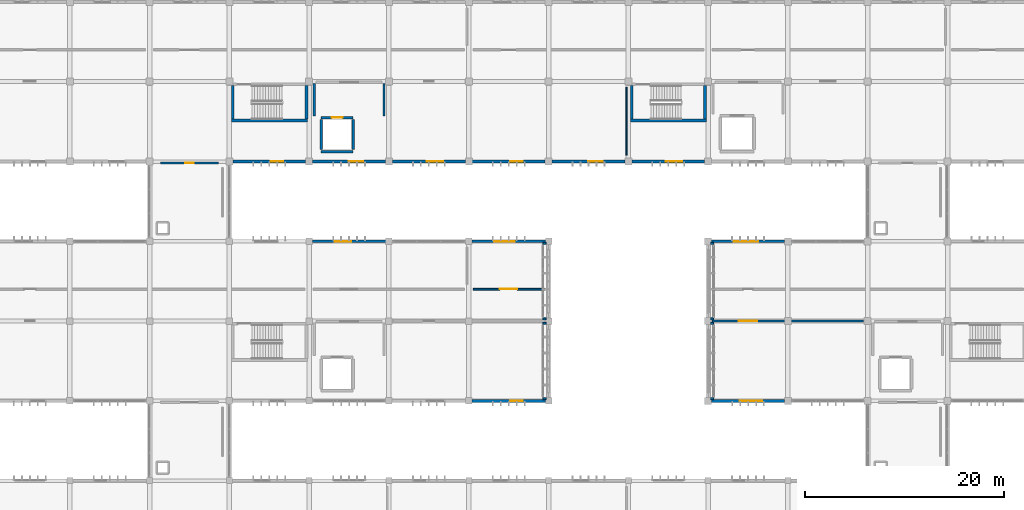
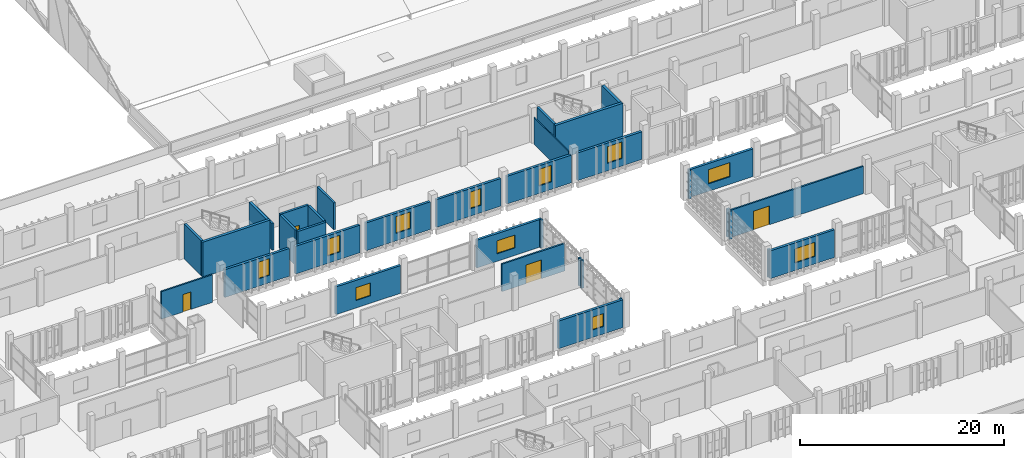
# One storey, part 115 of 137: 35 walls, 11 windows, 4 doors, 15 openings.
"""IFC4 building model written with IfcOpenShell, lengths in metres."""

from ifc_helpers import new_model, si_unit, direction, frame, frame_2d, origin, place, context, subcontext, project, spatial, rectangle, extrude, material, layer, layer_set, type_object, element, fill, save


model = new_model("IFC4")

# Units and contexts
model_context = context("Model", 3, precision=1e-05, world=origin(), true_north=direction((0.0, 1.0)))
body_context = subcontext(model_context, "Body", "Model", "MODEL_VIEW")
ifc_project = project(units=[si_unit("LENGTHUNIT", "METRE"), si_unit("AREAUNIT", "SQUARE_METRE"), si_unit("VOLUMEUNIT", "CUBIC_METRE"), si_unit("PLANEANGLEUNIT", "RADIAN"), si_unit("MASSUNIT", "GRAM", prefix="KILO")], contexts=[model_context])

# Site, building, storey
site_placement = place(None, origin())
site = spatial("IfcSite", under=ifc_project, at=site_placement, CompositionType="ELEMENT")
building_placement = place(site_placement, origin())
building = spatial("IfcBuilding", under=site, at=building_placement, Name="Jelvoka-Kovrelna Polytechnic", CompositionType="ELEMENT")
storey_placement = place(building_placement, frame((0.0, 0.0, 9.60009765625)))
storey = spatial("IfcBuildingStorey", under=building, at=storey_placement, Name="L03", CompositionType="ELEMENT", Elevation=9.60009765625)

# Walls
ifc_material_1 = material(Name="Concrete C35/45", Category="concrete")
ifc_layer_1 = layer(ifc_material_1, 0.219970703125)
ifc_layer_set_1 = layer_set([ifc_layer_1], Name="Concrete C35/45")
wall_type_1 = type_object("IfcWallType", Name="Wall_Compartment_220", PredefinedType="PARTITIONING", material=ifc_layer_set_1)
for number, where, z_axis, x_axis, name in (
    (1, (88.5, 60.550048828125, 0.0), (0.0, 0.0, 1.0), (0.0, 1.0, 0.0), "L03 interior wall 0283"),
    (2, (95.5, 60.550048828125, 0.0), (0.0, 0.0, 1.0), (0.0, 1.0, 0.0), "L03 interior wall 0284"),
):
    element("IfcWall", number, at=place(storey_placement, frame(where, z_axis=z_axis, x_axis=x_axis)), inside=storey, type_object=wall_type_1, Name=name, PredefinedType="PARTITIONING", context=body_context, shape_type="SweptSolid", body=[
        extrude(rectangle(XDim=3.25, YDim=0.219970703125, at=frame_2d((1.625, 0.0))), origin(), (0.0, 0.0, 1.0), 3.224853515625),
    ])
ifc_material_2 = material(Name="Concrete C40/50", Category="concrete")
ifc_layer_2 = layer(ifc_material_2, 0.25)
ifc_layer_set_2 = layer_set([ifc_layer_2], Name="Concrete C40/50")
wall_type_2 = type_object("IfcWallType", Name="Wall_Core_250", PredefinedType="SOLIDWALL", material=ifc_layer_set_2)
for number, where, z_axis, x_axis, name in (
    (3, (80.324951171875, 60.25, 0.0), (0.0, 0.0, 1.0), (0.0, 1.0, 0.0), "L03 interior wall 0160"),
    (4, (120.324951171875, 60.25, 0.0), (0.0, 0.0, 1.0), (0.0, 1.0, 0.0), "L03 interior wall 0232"),
):
    element("IfcWall", number, at=place(storey_placement, frame(where, z_axis=z_axis, x_axis=x_axis)), inside=storey, type_object=wall_type_2, Name=name, PredefinedType="SOLIDWALL", context=body_context, shape_type="SweptSolid", body=[
        extrude(rectangle(XDim=3.360107421875, YDim=0.25, at=frame_2d((1.68017578125, 0.0))), origin(), (0.0, 0.0, 1.0), 4.199951171875),
    ])
wall_1_placement = place(storey_placement, frame((89.199951171875, 57.0, 0.0), z_axis=(0.0, 0.0, 1.0), x_axis=(1.0, 0.0, 0.0)))
element("IfcWall", 5, at=wall_1_placement, inside=storey, type_object=wall_type_2, Name="L03 interior wall 0278", PredefinedType="SOLIDWALL", context=body_context, shape_type="SweptSolid", body=[
    extrude(rectangle(XDim=3.199951171875, YDim=0.25, at=frame_2d((1.60009765625, 0.0))), origin(), (0.0, 0.0, 1.0), 4.199951171875),
])

# Wall, opening, door
wall_2_placement = place(storey_placement, frame((89.199951171875, 60.39990234375, 0.0), z_axis=(0.0, 0.0, 1.0), x_axis=(1.0, 0.0, 0.0)))
wall_2 = element("IfcWall", 6, at=wall_2_placement, inside=storey, type_object=wall_type_2, Name="L03 interior wall 0279", PredefinedType="SOLIDWALL", context=body_context, shape_type="SweptSolid", body=[
    extrude(rectangle(XDim=3.199951171875, YDim=0.25, at=frame_2d((1.60009765625, 0.0))), origin(), (0.0, 0.0, 1.0), 4.199951171875),
])
opening_1_placement = place(wall_2_placement, frame((1.050048828125, 0.0, 0.0)))
opening_1 = element("IfcOpeningElement", 7, at=opening_1_placement, cuts=wall_2, Name="Opening LD-L03-04", PredefinedType="OPENING", context=body_context, shape_type="SweptSolid", body=[
    extrude(rectangle(XDim=1.10009765625, YDim=2.14990234375, at=frame_2d((0.550048828125, 1.074951171875))), frame((0.0, 0.135009765625, 0.0), z_axis=(0.0, -1.0, 0.0), x_axis=(1.0, 0.0, 0.0)), (0.0, 0.0, 1.0), 0.27001953125),
])
ifc_material_3 = material(Name="Brushed stainless steel sliding landing door", Category="steel")
door_type_1 = type_object("IfcDoorType", Name="Door_Lift_LD01", OperationType="NOTDEFINED", PredefinedType="DOOR", material=ifc_material_3)
door_1_placement = place(opening_1_placement, origin())
door_1 = element("IfcDoor", 8, at=door_1_placement, inside=storey, type_object=door_type_1, Name="L03 lift landing sliding door LD-L03-04", OperationType="DOUBLE_DOOR_SLIDING", OverallHeight=2.14990234375, OverallWidth=1.10009765625, PredefinedType="DOOR", context=body_context, shape_type="SweptSolid", body=[
    extrude(rectangle(XDim=1.10009765625, YDim=2.14990234375, at=frame_2d((0.550048828125, 1.074951171875))), frame((0.0, 0.02490234375, 0.0), z_axis=(0.0, -1.0, 0.0), x_axis=(1.0, 0.0, 0.0)), (0.0, 0.0, 1.0), 0.050048828125),
])
fill(opening_1, door_1)

# Walls
for number, where, z_axis, x_axis, name in (
    (9, (89.199951171875, 57.199951171875, 0.0), (0.0, 0.0, 1.0), (0.0, 1.0, 0.0), "L03 interior wall 0280"),
    (10, (92.39990234375, 57.199951171875, 0.0), (0.0, 0.0, 1.0), (0.0, 1.0, 0.0), "L03 interior wall 0281"),
):
    element("IfcWall", number, at=place(storey_placement, frame(where, z_axis=z_axis, x_axis=x_axis)), inside=storey, type_object=wall_type_2, Name=name, PredefinedType="SOLIDWALL", context=body_context, shape_type="SweptSolid", body=[
        extrude(rectangle(XDim=3.0, YDim=0.25, at=frame_2d((1.5, 0.0))), origin(), (0.0, 0.0, 1.0), 4.199951171875),
    ])

# Wall, opening, door
ifc_material_4 = material(Name="Autoclaved aerated concrete blockwork", Category="masonry")
ifc_layer_3 = layer(ifc_material_4, 0.179931640625)
ifc_layer_set_3 = layer_set([ifc_layer_3], Name="Autoclaved aerated concrete blockwork")
wall_type_3 = type_object("IfcWallType", Name="Wall_Corridor_180", PredefinedType="PARTITIONING", material=ifc_layer_set_3)
wall_3_placement = place(storey_placement, frame((104.429931640625, 43.199951171875, 0.0), z_axis=(0.0, 0.0, 1.0), x_axis=(1.0, 0.0, 0.0)))
wall_3 = element("IfcWall", 11, at=wall_3_placement, inside=storey, type_object=wall_type_3, Name="L03 interior wall 1055", PredefinedType="PARTITIONING", context=body_context, shape_type="SweptSolid", body=[
    extrude(rectangle(XDim=7.14013671875, YDim=0.179931640625, at=frame_2d((3.570068359375, 0.0))), origin(), (0.0, 0.0, 1.0), 3.2998046875),
])
opening_2_placement = place(wall_3_placement, frame((2.68994140625, 0.0, 0.0)))
opening_2 = element("IfcOpeningElement", 12, at=opening_2_placement, cuts=wall_3, Name="Opening D-L03-294", PredefinedType="OPENING", context=body_context, shape_type="SweptSolid", body=[
    extrude(rectangle(XDim=1.760009765625, YDim=2.25, at=frame_2d((0.8798828125, 1.125))), frame((0.0, 0.099853515625, 0.0), z_axis=(0.0, -1.0, 0.0), x_axis=(1.0, 0.0, 0.0)), (0.0, 0.0, 1.0), 0.199951171875),
])
ifc_material_5 = material(Name="Paired refectory hall double door", Category="wood")
door_type_2 = type_object("IfcDoorType", Name="Door_Int_D21", OperationType="NOTDEFINED", PredefinedType="DOOR", material=ifc_material_5)
door_2_placement = place(opening_2_placement, origin())
door_2 = element("IfcDoor", 13, at=door_2_placement, inside=storey, type_object=door_type_2, Name="L03 interior door D-L03-294", OperationType="DOUBLE_DOOR_SINGLE_SWING", OverallHeight=2.25, OverallWidth=1.760009765625, PredefinedType="DOOR", context=body_context, shape_type="SweptSolid", body=[
    extrude(rectangle(XDim=1.760009765625, YDim=2.25, at=frame_2d((0.8798828125, 1.125))), frame((0.0, 0.02490234375, 0.0), z_axis=(0.0, -1.0, 0.0), x_axis=(1.0, 0.0, 0.0)), (0.0, 0.0, 1.0), 0.050048828125),
])
fill(opening_2, door_2)

wall_4_placement = place(storey_placement, frame((128.429931640625, 40.0, 0.0), z_axis=(0.0, 0.0, 1.0), x_axis=(1.0, 0.0, 0.0)))
wall_4 = element("IfcWall", 14, at=wall_4_placement, inside=storey, type_object=wall_type_3, Name="L03 interior wall 1056", PredefinedType="PARTITIONING", context=body_context, shape_type="SweptSolid", body=[
    extrude(rectangle(XDim=15.14013671875, YDim=0.179931640625, at=frame_2d((7.570068359375, 0.0))), origin(), (0.0, 0.0, 1.0), 3.27490234375),
])
opening_3_placement = place(wall_4_placement, frame((2.64990234375, 0.0, 0.0)))
opening_3 = element("IfcOpeningElement", 15, at=opening_3_placement, cuts=wall_4, Name="Opening D-L03-295", PredefinedType="OPENING", context=body_context, shape_type="SweptSolid", body=[
    extrude(rectangle(XDim=1.840087890625, YDim=2.25, at=frame_2d((0.919921875, 1.125))), frame((0.0, 0.099853515625, 0.0), z_axis=(0.0, -1.0, 0.0), x_axis=(1.0, 0.0, 0.0)), (0.0, 0.0, 1.0), 0.199951171875),
])
ifc_material_6 = material(Name="Paired exhibition gallery double door", Category="wood")
door_type_3 = type_object("IfcDoorType", Name="Door_Int_D22", OperationType="NOTDEFINED", PredefinedType="DOOR", material=ifc_material_6)
door_3_placement = place(opening_3_placement, origin())
door_3 = element("IfcDoor", 16, at=door_3_placement, inside=storey, type_object=door_type_3, Name="L03 interior door D-L03-295", OperationType="DOUBLE_DOOR_SINGLE_SWING", OverallHeight=2.25, OverallWidth=1.840087890625, PredefinedType="DOOR", context=body_context, shape_type="SweptSolid", body=[
    extrude(rectangle(XDim=1.840087890625, YDim=2.25, at=frame_2d((0.919921875, 1.125))), frame((0.0, 0.02490234375, 0.0), z_axis=(0.0, -1.0, 0.0), x_axis=(1.0, 0.0, 0.0)), (0.0, 0.0, 1.0), 0.050048828125),
])
fill(opening_3, door_3)

wall_5_placement = place(storey_placement, frame((73.10009765625, 55.85009765625, 0.0), z_axis=(0.0, 0.0, 1.0), x_axis=(1.0, 0.0, 0.0)))
wall_5 = element("IfcWall", 17, at=wall_5_placement, inside=storey, type_object=wall_type_3, Name="L03 interior wall 1081", PredefinedType="PARTITIONING", context=body_context, shape_type="SweptSolid", body=[
    extrude(rectangle(XDim=5.7998046875, YDim=0.179931640625, at=frame_2d((2.89990234375, 0.0))), origin(), (0.0, 0.0, 1.0), 3.2998046875),
])
opening_4_placement = place(wall_5_placement, frame((2.449951171875, 0.0, 0.0)))
opening_4 = element("IfcOpeningElement", 18, at=opening_4_placement, cuts=wall_5, Name="Opening D-L03-313", PredefinedType="OPENING", context=body_context, shape_type="SweptSolid", body=[
    extrude(rectangle(XDim=0.89990234375, YDim=2.10009765625, at=frame_2d((0.449951171875, 1.050048828125))), frame((0.0, 0.099853515625, 0.0), z_axis=(0.0, -1.0, 0.0), x_axis=(1.0, 0.0, 0.0)), (0.0, 0.0, 1.0), 0.199951171875),
])
ifc_material_7 = material(Name="Hardwood solid-core door", Category="wood")
door_type_4 = type_object("IfcDoorType", Name="Door_Int_D01", OperationType="NOTDEFINED", PredefinedType="DOOR", material=ifc_material_7)
door_4_placement = place(opening_4_placement, origin())
door_4 = element("IfcDoor", 19, at=door_4_placement, inside=storey, type_object=door_type_4, Name="L03 interior door D-L03-313", OperationType="SINGLE_SWING_RIGHT", OverallHeight=2.10009765625, OverallWidth=0.89990234375, PredefinedType="DOOR", context=body_context, shape_type="SweptSolid", body=[
    extrude(rectangle(XDim=0.89990234375, YDim=2.10009765625, at=frame_2d((0.449951171875, 1.050048828125))), frame((0.0, 0.02490234375, 0.0), z_axis=(0.0, -1.0, 0.0), x_axis=(1.0, 0.0, 0.0)), (0.0, 0.0, 1.0), 0.050048828125),
])
fill(opening_4, door_4)

# Wall, opening, window
ifc_material_8 = material(Name="Precast concrete C40/50", Category="concrete")
ifc_layer_4 = layer(ifc_material_8, 0.280029296875)
ifc_layer_set_4 = layer_set([ifc_layer_4], Name="Precast concrete C40/50")
wall_type_4 = type_object("IfcWallType", Name="Wall_Ext_White_280", PredefinedType="STANDARD", material=ifc_layer_set_4)
wall_6_placement = place(storey_placement, frame((88.322021484375, 48.0, 0.0), z_axis=(0.0, 0.0, 1.0), x_axis=(1.0, 0.0, 0.0)))
wall_6 = element("IfcWall", 20, at=wall_6_placement, inside=storey, type_object=wall_type_4, Name="L03 exterior wall 0392", PredefinedType="STANDARD", context=body_context, shape_type="SweptSolid", body=[
    extrude(rectangle(XDim=7.35595703125, YDim=0.280029296875, at=frame_2d((3.677978515625, 0.0))), origin(), (0.0, 0.0, 1.0), 3.324951171875),
])
opening_5_placement = place(wall_6_placement, frame((2.258056640625, 0.0, 0.89990234375)))
opening_5 = element("IfcOpeningElement", 21, at=opening_5_placement, cuts=wall_6, Name="Opening W-L03-133", PredefinedType="OPENING", context=body_context, shape_type="SweptSolid", body=[
    extrude(rectangle(XDim=1.64990234375, YDim=1.550048828125, at=frame_2d((0.824951171875, 0.77490234375))), frame((0.0, 0.150146484375, 0.0), z_axis=(0.0, -1.0, 0.0), x_axis=(1.0, 0.0, 0.0)), (0.0, 0.0, 1.0), 0.300048828125),
])
ifc_material_9 = material(Name="Thermally broken anodised aluminium and low-e glazing", Category="aluminium")
window_type_1 = type_object("IfcWindowType", Name="Win_Casement_W24", PartitioningType="DOUBLE_PANEL_VERTICAL", PredefinedType="WINDOW", material=ifc_material_9)
window_1_placement = place(opening_5_placement, origin())
window_1 = element("IfcWindow", 22, at=window_1_placement, inside=storey, type_object=window_type_1, Name="L03 aluminium casement window W-L03-133", OverallHeight=1.550048828125, OverallWidth=1.64990234375, PartitioningType="DOUBLE_PANEL_VERTICAL", PredefinedType="WINDOW", context=body_context, shape_type="SweptSolid", body=[
    extrude(rectangle(XDim=1.64990234375, YDim=1.550048828125, at=frame_2d((0.824951171875, 0.77490234375))), frame((0.0, 0.030029296875, 0.0), z_axis=(0.0, -1.0, 0.0), x_axis=(1.0, 0.0, 0.0)), (0.0, 0.0, 1.0), 0.06005859375),
])
fill(opening_5, window_1)

wall_7_placement = place(storey_placement, frame((111.677978515625, 32.0, 0.0), z_axis=(0.0, 0.0, 1.0), x_axis=(-1.0, 0.0, 0.0)))
wall_7 = element("IfcWall", 23, at=wall_7_placement, inside=storey, type_object=wall_type_4, Name="L03 exterior wall 0394", PredefinedType="STANDARD", context=body_context, shape_type="SweptSolid", body=[
    extrude(rectangle(XDim=7.35595703125, YDim=0.280029296875, at=frame_2d((3.677978515625, 0.0))), origin(), (0.0, 0.0, 1.0), 3.324951171875),
])
opening_6_placement = place(wall_7_placement, frame((2.258056640625, 0.0, 0.89990234375)))
opening_6 = element("IfcOpeningElement", 24, at=opening_6_placement, cuts=wall_7, Name="Opening W-L03-135", PredefinedType="OPENING", context=body_context, shape_type="SweptSolid", body=[
    extrude(rectangle(XDim=1.25, YDim=1.550048828125, at=frame_2d((0.625, 0.77490234375))), frame((0.0, 0.150146484375, 0.0), z_axis=(0.0, -1.0, 0.0), x_axis=(1.0, 0.0, 0.0)), (0.0, 0.0, 1.0), 0.300048828125),
])
ifc_material_10 = material(Name="Thermally broken anodised aluminium and low-e glazing", Category="aluminium")
window_type_2 = type_object("IfcWindowType", Name="Win_Casement_W22", PartitioningType="SINGLE_PANEL", PredefinedType="WINDOW", material=ifc_material_10)
window_2_placement = place(opening_6_placement, origin())
window_2 = element("IfcWindow", 25, at=window_2_placement, inside=storey, type_object=window_type_2, Name="L03 aluminium casement window W-L03-135", OverallHeight=1.550048828125, OverallWidth=1.25, PartitioningType="SINGLE_PANEL", PredefinedType="WINDOW", context=body_context, shape_type="SweptSolid", body=[
    extrude(rectangle(XDim=1.25, YDim=1.550048828125, at=frame_2d((0.625, 0.77490234375))), frame((0.0, 0.030029296875, 0.0), z_axis=(0.0, -1.0, 0.0), x_axis=(1.0, 0.0, 0.0)), (0.0, 0.0, 1.0), 0.06005859375),
])
fill(opening_6, window_2)

wall_8_placement = place(storey_placement, frame((104.322021484375, 48.0, 0.0), z_axis=(0.0, 0.0, 1.0), x_axis=(1.0, 0.0, 0.0)))
wall_8 = element("IfcWall", 26, at=wall_8_placement, inside=storey, type_object=wall_type_4, Name="L03 exterior wall 0395", PredefinedType="STANDARD", context=body_context, shape_type="SweptSolid", body=[
    extrude(rectangle(XDim=7.35595703125, YDim=0.280029296875, at=frame_2d((3.677978515625, 0.0))), origin(), (0.0, 0.0, 1.0), 3.324951171875),
])
opening_7_placement = place(wall_8_placement, frame((2.258056640625, 0.0, 0.89990234375)))
opening_7 = element("IfcOpeningElement", 27, at=opening_7_placement, cuts=wall_8, Name="Opening W-L03-136", PredefinedType="OPENING", context=body_context, shape_type="SweptSolid", body=[
    extrude(rectangle(XDim=2.050048828125, YDim=1.550048828125, at=frame_2d((1.02490234375, 0.77490234375))), frame((0.0, 0.150146484375, 0.0), z_axis=(0.0, -1.0, 0.0), x_axis=(1.0, 0.0, 0.0)), (0.0, 0.0, 1.0), 0.300048828125),
])
ifc_material_11 = material(Name="Thermally broken anodised aluminium and low-e glazing", Category="aluminium")
window_type_3 = type_object("IfcWindowType", Name="Win_Casement_W26", PartitioningType="DOUBLE_PANEL_VERTICAL", PredefinedType="WINDOW", material=ifc_material_11)
window_3_placement = place(opening_7_placement, origin())
window_3 = element("IfcWindow", 28, at=window_3_placement, inside=storey, type_object=window_type_3, Name="L03 aluminium casement window W-L03-136", OverallHeight=1.550048828125, OverallWidth=2.050048828125, PartitioningType="DOUBLE_PANEL_VERTICAL", PredefinedType="WINDOW", context=body_context, shape_type="SweptSolid", body=[
    extrude(rectangle(XDim=2.050048828125, YDim=1.550048828125, at=frame_2d((1.02490234375, 0.77490234375))), frame((0.0, 0.030029296875, 0.0), z_axis=(0.0, -1.0, 0.0), x_axis=(1.0, 0.0, 0.0)), (0.0, 0.0, 1.0), 0.06005859375),
])
fill(opening_7, window_3)

wall_9_placement = place(storey_placement, frame((135.653076171875, 32.0, 0.0), z_axis=(0.0, 0.0, 1.0), x_axis=(-1.0, 0.0, 0.0)))
wall_9 = element("IfcWall", 29, at=wall_9_placement, inside=storey, type_object=wall_type_4, Name="L03 exterior wall 0476", PredefinedType="STANDARD", context=body_context, shape_type="SweptSolid", body=[
    extrude(rectangle(XDim=7.30615234375, YDim=0.280029296875, at=frame_2d((3.653076171875, 0.0))), origin(), (0.0, 0.0, 1.0), 3.324951171875),
])
opening_8_placement = place(wall_9_placement, frame((2.23291015625, 0.0, 0.89990234375)))
opening_8 = element("IfcOpeningElement", 30, at=opening_8_placement, cuts=wall_9, Name="Opening W-L03-187", PredefinedType="OPENING", context=body_context, shape_type="SweptSolid", body=[
    extrude(rectangle(XDim=2.25, YDim=1.699951171875, at=frame_2d((1.125, 0.85009765625))), frame((0.0, 0.150146484375, 0.0), z_axis=(0.0, -1.0, 0.0), x_axis=(1.0, 0.0, 0.0)), (0.0, 0.0, 1.0), 0.300048828125),
])
ifc_material_12 = material(Name="Thermally broken anodised aluminium and low-e glazing", Category="aluminium")
window_type_4 = type_object("IfcWindowType", Name="Win_Casement_W37", PartitioningType="DOUBLE_PANEL_VERTICAL", PredefinedType="WINDOW", material=ifc_material_12)
window_4_placement = place(opening_8_placement, origin())
window_4 = element("IfcWindow", 31, at=window_4_placement, inside=storey, type_object=window_type_4, Name="L03 aluminium casement window W-L03-187", OverallHeight=1.699951171875, OverallWidth=2.25, PartitioningType="DOUBLE_PANEL_VERTICAL", PredefinedType="WINDOW", context=body_context, shape_type="SweptSolid", body=[
    extrude(rectangle(XDim=2.25, YDim=1.699951171875, at=frame_2d((1.125, 0.85009765625))), frame((0.0, 0.030029296875, 0.0), z_axis=(0.0, -1.0, 0.0), x_axis=(1.0, 0.0, 0.0)), (0.0, 0.0, 1.0), 0.06005859375),
])
fill(opening_8, window_4)

wall_10_placement = place(storey_placement, frame((128.346923828125, 48.0, 0.0), z_axis=(0.0, 0.0, 1.0), x_axis=(1.0, 0.0, 0.0)))
wall_10 = element("IfcWall", 32, at=wall_10_placement, inside=storey, type_object=wall_type_4, Name="L03 exterior wall 0477", PredefinedType="STANDARD", context=body_context, shape_type="SweptSolid", body=[
    extrude(rectangle(XDim=7.30615234375, YDim=0.280029296875, at=frame_2d((3.653076171875, 0.0))), origin(), (0.0, 0.0, 1.0), 3.324951171875),
])
opening_9_placement = place(wall_10_placement, frame((2.23291015625, 0.0, 0.89990234375)))
opening_9 = element("IfcOpeningElement", 33, at=opening_9_placement, cuts=wall_10, Name="Opening W-L03-188", PredefinedType="OPENING", context=body_context, shape_type="SweptSolid", body=[
    extrude(rectangle(XDim=2.449951171875, YDim=1.699951171875, at=frame_2d((1.22509765625, 0.85009765625))), frame((0.0, 0.150146484375, 0.0), z_axis=(0.0, -1.0, 0.0), x_axis=(1.0, 0.0, 0.0)), (0.0, 0.0, 1.0), 0.300048828125),
])
ifc_material_13 = material(Name="Thermally broken anodised aluminium and low-e glazing", Category="aluminium")
window_type_5 = type_object("IfcWindowType", Name="Win_Casement_W38", PartitioningType="DOUBLE_PANEL_VERTICAL", PredefinedType="WINDOW", material=ifc_material_13)
window_5_placement = place(opening_9_placement, origin())
window_5 = element("IfcWindow", 34, at=window_5_placement, inside=storey, type_object=window_type_5, Name="L03 aluminium casement window W-L03-188", OverallHeight=1.699951171875, OverallWidth=2.449951171875, PartitioningType="DOUBLE_PANEL_VERTICAL", PredefinedType="WINDOW", context=body_context, shape_type="SweptSolid", body=[
    extrude(rectangle(XDim=2.449951171875, YDim=1.699951171875, at=frame_2d((1.22509765625, 0.85009765625))), frame((0.0, 0.030029296875, 0.0), z_axis=(0.0, -1.0, 0.0), x_axis=(1.0, 0.0, 0.0)), (0.0, 0.0, 1.0), 0.06005859375),
])
fill(opening_9, window_5)

wall_11_placement = place(storey_placement, frame((87.653076171875, 56.0, 0.0), z_axis=(0.0, 0.0, 1.0), x_axis=(-1.0, 0.0, 0.0)))
wall_11 = element("IfcWall", 35, at=wall_11_placement, inside=storey, type_object=wall_type_4, Name="L03 exterior wall 0644", PredefinedType="STANDARD", context=body_context, shape_type="SweptSolid", body=[
    extrude(rectangle(XDim=7.30615234375, YDim=0.280029296875, at=frame_2d((3.653076171875, 0.0))), origin(), (0.0, 0.0, 1.0), 3.324951171875),
])
opening_10_placement = place(wall_11_placement, frame((2.23291015625, 0.0, 0.89990234375)))
opening_10 = element("IfcOpeningElement", 36, at=opening_10_placement, cuts=wall_11, Name="Opening W-L03-314", PredefinedType="OPENING", context=body_context, shape_type="SweptSolid", body=[
    extrude(rectangle(XDim=1.25, YDim=2.0, at=frame_2d((0.625, 1.0))), frame((0.0, 0.150146484375, 0.0), z_axis=(0.0, -1.0, 0.0), x_axis=(1.0, 0.0, 0.0)), (0.0, 0.0, 1.0), 0.300048828125),
])
ifc_material_14 = material(Name="Thermally broken anodised aluminium and low-e glazing", Category="aluminium")
window_type_6 = type_object("IfcWindowType", Name="Win_Casement_W52", PartitioningType="SINGLE_PANEL", PredefinedType="WINDOW", material=ifc_material_14)
window_6_placement = place(opening_10_placement, origin())
window_6 = element("IfcWindow", 37, at=window_6_placement, inside=storey, type_object=window_type_6, Name="L03 aluminium casement window W-L03-314", OverallHeight=2.0, OverallWidth=1.25, PartitioningType="SINGLE_PANEL", PredefinedType="WINDOW", context=body_context, shape_type="SweptSolid", body=[
    extrude(rectangle(XDim=1.25, YDim=2.0, at=frame_2d((0.625, 1.0))), frame((0.0, 0.030029296875, 0.0), z_axis=(0.0, -1.0, 0.0), x_axis=(1.0, 0.0, 0.0)), (0.0, 0.0, 1.0), 0.06005859375),
])
fill(opening_10, window_6)

wall_12_placement = place(storey_placement, frame((95.653076171875, 56.0, 0.0), z_axis=(0.0, 0.0, 1.0), x_axis=(-1.0, 0.0, 0.0)))
wall_12 = element("IfcWall", 38, at=wall_12_placement, inside=storey, type_object=wall_type_4, Name="L03 exterior wall 0646", PredefinedType="STANDARD", context=body_context, shape_type="SweptSolid", body=[
    extrude(rectangle(XDim=7.30615234375, YDim=0.280029296875, at=frame_2d((3.653076171875, 0.0))), origin(), (0.0, 0.0, 1.0), 3.324951171875),
])
opening_11_placement = place(wall_12_placement, frame((2.23291015625, 0.0, 0.89990234375)))
opening_11 = element("IfcOpeningElement", 39, at=opening_11_placement, cuts=wall_12, Name="Opening W-L03-316", PredefinedType="OPENING", context=body_context, shape_type="SweptSolid", body=[
    extrude(rectangle(XDim=1.449951171875, YDim=2.0, at=frame_2d((0.72509765625, 1.0))), frame((0.0, 0.150146484375, 0.0), z_axis=(0.0, -1.0, 0.0), x_axis=(1.0, 0.0, 0.0)), (0.0, 0.0, 1.0), 0.300048828125),
])
ifc_material_15 = material(Name="Thermally broken anodised aluminium and low-e glazing", Category="aluminium")
window_type_7 = type_object("IfcWindowType", Name="Win_Casement_W53", PartitioningType="SINGLE_PANEL", PredefinedType="WINDOW", material=ifc_material_15)
window_7_placement = place(opening_11_placement, origin())
window_7 = element("IfcWindow", 40, at=window_7_placement, inside=storey, type_object=window_type_7, Name="L03 aluminium casement window W-L03-316", OverallHeight=2.0, OverallWidth=1.449951171875, PartitioningType="SINGLE_PANEL", PredefinedType="WINDOW", context=body_context, shape_type="SweptSolid", body=[
    extrude(rectangle(XDim=1.449951171875, YDim=2.0, at=frame_2d((0.72509765625, 1.0))), frame((0.0, 0.030029296875, 0.0), z_axis=(0.0, -1.0, 0.0), x_axis=(1.0, 0.0, 0.0)), (0.0, 0.0, 1.0), 0.06005859375),
])
fill(opening_11, window_7)

wall_13_placement = place(storey_placement, frame((103.653076171875, 56.0, 0.0), z_axis=(0.0, 0.0, 1.0), x_axis=(-1.0, 0.0, 0.0)))
wall_13 = element("IfcWall", 41, at=wall_13_placement, inside=storey, type_object=wall_type_4, Name="L03 exterior wall 0648", PredefinedType="STANDARD", context=body_context, shape_type="SweptSolid", body=[
    extrude(rectangle(XDim=7.30615234375, YDim=0.280029296875, at=frame_2d((3.653076171875, 0.0))), origin(), (0.0, 0.0, 1.0), 3.324951171875),
])
opening_12_placement = place(wall_13_placement, frame((2.23291015625, 0.0, 0.89990234375)))
opening_12 = element("IfcOpeningElement", 42, at=opening_12_placement, cuts=wall_13, Name="Opening W-L03-318", PredefinedType="OPENING", context=body_context, shape_type="SweptSolid", body=[
    extrude(rectangle(XDim=1.64990234375, YDim=2.0, at=frame_2d((0.824951171875, 1.0))), frame((0.0, 0.150146484375, 0.0), z_axis=(0.0, -1.0, 0.0), x_axis=(1.0, 0.0, 0.0)), (0.0, 0.0, 1.0), 0.300048828125),
])
ifc_material_16 = material(Name="Thermally broken anodised aluminium and low-e glazing", Category="aluminium")
window_type_8 = type_object("IfcWindowType", Name="Win_Casement_W54", PartitioningType="DOUBLE_PANEL_VERTICAL", PredefinedType="WINDOW", material=ifc_material_16)
window_8_placement = place(opening_12_placement, origin())
window_8 = element("IfcWindow", 43, at=window_8_placement, inside=storey, type_object=window_type_8, Name="L03 aluminium casement window W-L03-318", OverallHeight=2.0, OverallWidth=1.64990234375, PartitioningType="DOUBLE_PANEL_VERTICAL", PredefinedType="WINDOW", context=body_context, shape_type="SweptSolid", body=[
    extrude(rectangle(XDim=1.64990234375, YDim=2.0, at=frame_2d((0.824951171875, 1.0))), frame((0.0, 0.030029296875, 0.0), z_axis=(0.0, -1.0, 0.0), x_axis=(1.0, 0.0, 0.0)), (0.0, 0.0, 1.0), 0.06005859375),
])
fill(opening_12, window_8)

wall_14_placement = place(storey_placement, frame((111.653076171875, 56.0, 0.0), z_axis=(0.0, 0.0, 1.0), x_axis=(-1.0, 0.0, 0.0)))
wall_14 = element("IfcWall", 44, at=wall_14_placement, inside=storey, type_object=wall_type_4, Name="L03 exterior wall 0650", PredefinedType="STANDARD", context=body_context, shape_type="SweptSolid", body=[
    extrude(rectangle(XDim=7.30615234375, YDim=0.280029296875, at=frame_2d((3.653076171875, 0.0))), origin(), (0.0, 0.0, 1.0), 3.324951171875),
])
opening_13_placement = place(wall_14_placement, frame((2.23291015625, 0.0, 0.89990234375)))
opening_13 = element("IfcOpeningElement", 45, at=opening_13_placement, cuts=wall_14, Name="Opening W-L03-320", PredefinedType="OPENING", context=body_context, shape_type="SweptSolid", body=[
    extrude(rectangle(XDim=1.25, YDim=2.0, at=frame_2d((0.625, 1.0))), frame((0.0, 0.150146484375, 0.0), z_axis=(0.0, -1.0, 0.0), x_axis=(1.0, 0.0, 0.0)), (0.0, 0.0, 1.0), 0.300048828125),
])
window_9_placement = place(opening_13_placement, origin())
window_9 = element("IfcWindow", 46, at=window_9_placement, inside=storey, type_object=window_type_6, Name="L03 aluminium casement window W-L03-320", OverallHeight=2.0, OverallWidth=1.25, PartitioningType="SINGLE_PANEL", PredefinedType="WINDOW", context=body_context, shape_type="SweptSolid", body=[
    extrude(rectangle(XDim=1.25, YDim=2.0, at=frame_2d((0.625, 1.0))), frame((0.0, 0.030029296875, 0.0), z_axis=(0.0, -1.0, 0.0), x_axis=(1.0, 0.0, 0.0)), (0.0, 0.0, 1.0), 0.06005859375),
])
fill(opening_13, window_9)

wall_15_placement = place(storey_placement, frame((119.653076171875, 56.0, 0.0), z_axis=(0.0, 0.0, 1.0), x_axis=(-1.0, 0.0, 0.0)))
wall_15 = element("IfcWall", 47, at=wall_15_placement, inside=storey, type_object=wall_type_4, Name="L03 exterior wall 0652", PredefinedType="STANDARD", context=body_context, shape_type="SweptSolid", body=[
    extrude(rectangle(XDim=7.30615234375, YDim=0.280029296875, at=frame_2d((3.653076171875, 0.0))), origin(), (0.0, 0.0, 1.0), 3.324951171875),
])
opening_14_placement = place(wall_15_placement, frame((2.23291015625, 0.0, 0.89990234375)))
opening_14 = element("IfcOpeningElement", 48, at=opening_14_placement, cuts=wall_15, Name="Opening W-L03-322", PredefinedType="OPENING", context=body_context, shape_type="SweptSolid", body=[
    extrude(rectangle(XDim=1.449951171875, YDim=2.0, at=frame_2d((0.72509765625, 1.0))), frame((0.0, 0.150146484375, 0.0), z_axis=(0.0, -1.0, 0.0), x_axis=(1.0, 0.0, 0.0)), (0.0, 0.0, 1.0), 0.300048828125),
])
window_10_placement = place(opening_14_placement, origin())
window_10 = element("IfcWindow", 49, at=window_10_placement, inside=storey, type_object=window_type_7, Name="L03 aluminium casement window W-L03-322", OverallHeight=2.0, OverallWidth=1.449951171875, PartitioningType="SINGLE_PANEL", PredefinedType="WINDOW", context=body_context, shape_type="SweptSolid", body=[
    extrude(rectangle(XDim=1.449951171875, YDim=2.0, at=frame_2d((0.72509765625, 1.0))), frame((0.0, 0.030029296875, 0.0), z_axis=(0.0, -1.0, 0.0), x_axis=(1.0, 0.0, 0.0)), (0.0, 0.0, 1.0), 0.06005859375),
])
fill(opening_14, window_10)

wall_16_placement = place(storey_placement, frame((127.653076171875, 56.0, 0.0), z_axis=(0.0, 0.0, 1.0), x_axis=(-1.0, 0.0, 0.0)))
wall_16 = element("IfcWall", 50, at=wall_16_placement, inside=storey, type_object=wall_type_4, Name="L03 exterior wall 0654", PredefinedType="STANDARD", context=body_context, shape_type="SweptSolid", body=[
    extrude(rectangle(XDim=7.30615234375, YDim=0.280029296875, at=frame_2d((3.653076171875, 0.0))), origin(), (0.0, 0.0, 1.0), 3.324951171875),
])
opening_15_placement = place(wall_16_placement, frame((2.23291015625, 0.0, 0.89990234375)))
opening_15 = element("IfcOpeningElement", 51, at=opening_15_placement, cuts=wall_16, Name="Opening W-L03-324", PredefinedType="OPENING", context=body_context, shape_type="SweptSolid", body=[
    extrude(rectangle(XDim=1.64990234375, YDim=2.0, at=frame_2d((0.824951171875, 1.0))), frame((0.0, 0.150146484375, 0.0), z_axis=(0.0, -1.0, 0.0), x_axis=(1.0, 0.0, 0.0)), (0.0, 0.0, 1.0), 0.300048828125),
])
window_11_placement = place(opening_15_placement, origin())
window_11 = element("IfcWindow", 52, at=window_11_placement, inside=storey, type_object=window_type_8, Name="L03 aluminium casement window W-L03-324", OverallHeight=2.0, OverallWidth=1.64990234375, PartitioningType="DOUBLE_PANEL_VERTICAL", PredefinedType="WINDOW", context=body_context, shape_type="SweptSolid", body=[
    extrude(rectangle(XDim=1.64990234375, YDim=2.0, at=frame_2d((0.824951171875, 1.0))), frame((0.0, 0.030029296875, 0.0), z_axis=(0.0, -1.0, 0.0), x_axis=(1.0, 0.0, 0.0)), (0.0, 0.0, 1.0), 0.06005859375),
])
fill(opening_15, window_11)

# Walls
ifc_material_17 = material(Name="Precast concrete C40/50", Category="concrete")
ifc_layer_5 = layer(ifc_material_17, 0.199951171875)
ifc_layer_set_5 = layer_set([ifc_layer_5], Name="Precast concrete C40/50")
wall_type_5 = type_object("IfcWallType", Name="Wall_Parapet_200", PredefinedType="PARAPET", material=ifc_layer_set_5)
for number, where, z_axis, x_axis, name in (
    (53, (111.760009765625, 32.219970703125, 0.0), (0.0, 0.0, 1.0), (-1.0, 0.0, 0.0), "L03 exterior wall 0396"),
    (54, (111.760009765625, 39.780029296875, 0.0), (0.0, 0.0, 1.0), (-1.0, 0.0, 0.0), "L03 exterior wall 0397"),
    (55, (111.760009765625, 40.219970703125, 0.0), (0.0, 0.0, 1.0), (-1.0, 0.0, 0.0), "L03 exterior wall 0398"),
    (56, (111.760009765625, 47.780029296875, 0.0), (0.0, 0.0, 1.0), (-1.0, 0.0, 0.0), "L03 exterior wall 0399"),
    (57, (128.239990234375, 32.219970703125, 0.0), (0.0, 0.0, 1.0), (1.0, 0.0, 0.0), "L03 exterior wall 0483"),
    (58, (128.239990234375, 39.780029296875, 0.0), (0.0, 0.0, 1.0), (1.0, 0.0, 0.0), "L03 exterior wall 0484"),
    (59, (128.239990234375, 40.219970703125, 0.0), (0.0, 0.0, 1.0), (1.0, 0.0, 0.0), "L03 exterior wall 0485"),
    (60, (128.239990234375, 47.780029296875, 0.0), (0.0, 0.0, 1.0), (1.0, 0.0, 0.0), "L03 exterior wall 0486"),
):
    element("IfcWall", number, at=place(storey_placement, frame(where, z_axis=z_axis, x_axis=x_axis)), inside=storey, type_object=wall_type_5, Name=name, PredefinedType="PARAPET", context=body_context, shape_type="SweptSolid", body=[
        extrude(rectangle(XDim=0.320068359375, YDim=0.199951171875, at=frame_2d((0.16015625, 0.0))), origin(), (0.0, 0.0, 1.0), 3.349853515625),
    ])
ifc_material_18 = material(Name="Acoustic gypsum stud partition")
ifc_layer_6 = layer(ifc_material_18, 0.125)
ifc_layer_set_6 = layer_set([ifc_layer_6], Name="Acoustic gypsum stud partition")
wall_type_6 = type_object("IfcWallType", Name="Wall_Partition_125", PredefinedType="PARTITIONING", material=ifc_layer_set_6)
wall_17_placement = place(storey_placement, frame((119.820068359375, 56.6201171875, 0.0), z_axis=(0.0, 0.0, 1.0), x_axis=(0.0, 1.0, 0.0)))
element("IfcWall", 61, at=wall_17_placement, inside=storey, type_object=wall_type_6, Name="L03 interior wall 1065", PredefinedType="PARTITIONING", context=body_context, shape_type="SweptSolid", body=[
    extrude(rectangle(XDim=6.809814453125, YDim=0.125, at=frame_2d((3.40478515625, 0.0))), origin(), (0.0, 0.0, 1.0), 3.224853515625),
])
ifc_material_19 = material(Name="Concrete C40/50", Category="concrete")
ifc_layer_7 = layer(ifc_material_19, 0.300048828125)
ifc_layer_set_7 = layer_set([ifc_layer_7], Name="Concrete C40/50")
wall_type_7 = type_object("IfcWallType", Name="Wall_Shear_300", PredefinedType="SHEAR", material=ifc_layer_set_7)
wall_18_placement = place(storey_placement, frame((80.199951171875, 60.090087890625, 0.0), z_axis=(0.0, 0.0, 1.0), x_axis=(1.0, 0.0, 0.0)))
element("IfcWall", 62, at=wall_18_placement, inside=storey, type_object=wall_type_7, Name="L03 interior wall 0157", PredefinedType="SHEAR", context=body_context, shape_type="SweptSolid", body=[
    extrude(rectangle(XDim=7.650146484375, YDim=0.300048828125, at=frame_2d((3.8251953125, 0.0))), origin(), (0.0, 0.0, 1.0), 4.199951171875),
])
wall_19_placement = place(storey_placement, frame((87.7099609375, 60.25, 0.0), z_axis=(0.0, 0.0, 1.0), x_axis=(0.0, 1.0, 0.0)))
element("IfcWall", 63, at=wall_19_placement, inside=storey, type_object=wall_type_7, Name="L03 interior wall 0158", PredefinedType="SHEAR", context=body_context, shape_type="SweptSolid", body=[
    extrude(rectangle(XDim=3.360107421875, YDim=0.300048828125, at=frame_2d((1.68017578125, 0.0))), origin(), (0.0, 0.0, 1.0), 4.199951171875),
])
wall_20_placement = place(storey_placement, frame((120.199951171875, 60.090087890625, 0.0), z_axis=(0.0, 0.0, 1.0), x_axis=(1.0, 0.0, 0.0)))
element("IfcWall", 64, at=wall_20_placement, inside=storey, type_object=wall_type_7, Name="L03 interior wall 0229", PredefinedType="SHEAR", context=body_context, shape_type="SweptSolid", body=[
    extrude(rectangle(XDim=7.650146484375, YDim=0.300048828125, at=frame_2d((3.8251953125, 0.0))), origin(), (0.0, 0.0, 1.0), 4.199951171875),
])
wall_21_placement = place(storey_placement, frame((127.7099609375, 60.25, 0.0), z_axis=(0.0, 0.0, 1.0), x_axis=(0.0, 1.0, 0.0)))
element("IfcWall", 65, at=wall_21_placement, inside=storey, type_object=wall_type_7, Name="L03 interior wall 0230", PredefinedType="SHEAR", context=body_context, shape_type="SweptSolid", body=[
    extrude(rectangle(XDim=3.360107421875, YDim=0.300048828125, at=frame_2d((1.68017578125, 0.0))), origin(), (0.0, 0.0, 1.0), 4.199951171875),
])

save(model, "model.ifc")
